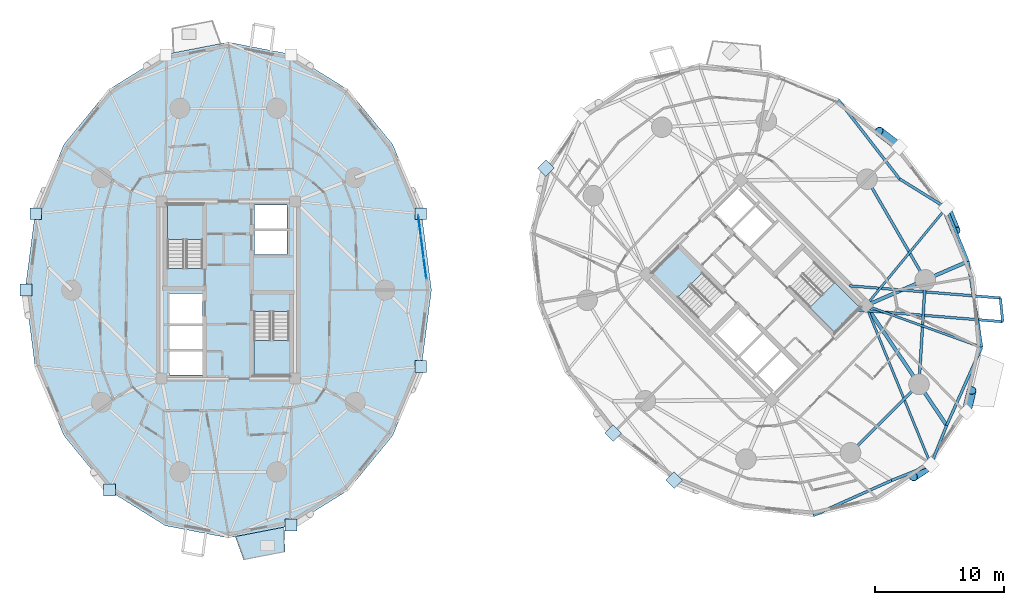
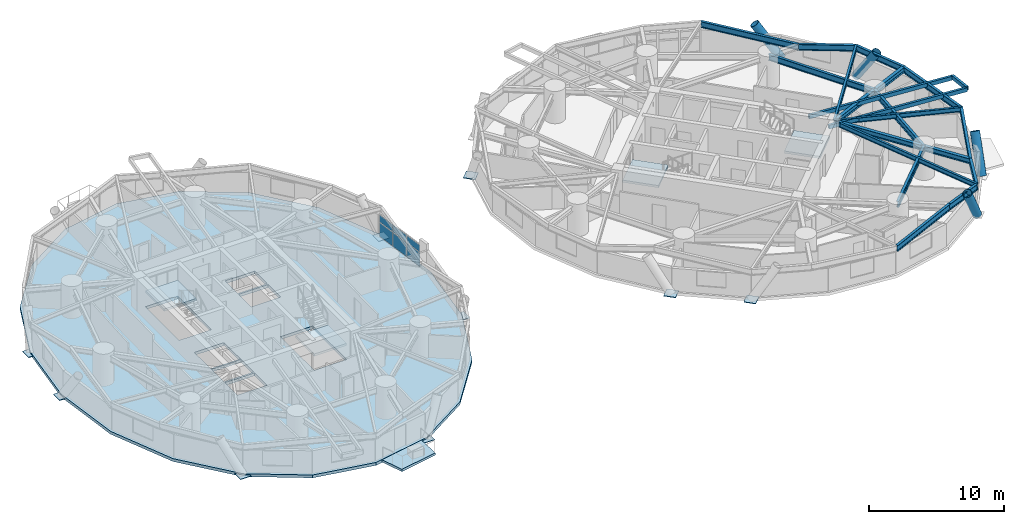
# One storey, part 8 of 20: 19 beams, 15 plates, 6 slabs, 4 members, 5 elements without a shape of their own.
"""IFC4 building model written with IfcOpenShell, lengths in metres."""

from ifc_helpers import new_model, si_unit, direction, frame, origin, origin_2d, place, context, subcontext, project, spatial, polyline, rectangle, hollow_rectangle, hollow_circle, i_section, outline, extrude, source, transform, mapped, material, layer, layer_set, material_profile, profile_set, type_object, element, aggregate, save


model = new_model("IFC4")

# Units and contexts
model_context = context("Model", 3, precision=1e-05, world=origin(), true_north=direction((0.0, 1.0)))
body_context = subcontext(model_context, "Body", "Model", "MODEL_VIEW")
ifc_project = project(units=[si_unit("LENGTHUNIT", "METRE"), si_unit("AREAUNIT", "SQUARE_METRE"), si_unit("VOLUMEUNIT", "CUBIC_METRE"), si_unit("PLANEANGLEUNIT", "RADIAN"), si_unit("MASSUNIT", "GRAM", prefix="KILO")], contexts=[model_context])

# Site, building, storey
site_placement = place(None, origin())
site = spatial("IfcSite", under=ifc_project, at=site_placement, CompositionType="ELEMENT")
building_placement = place(site_placement, origin())
building = spatial("IfcBuilding", under=site, at=building_placement, Name="Cununo Teusaquillo Station Towers", CompositionType="ELEMENT")
storey_placement = place(building_placement, frame((0.0, 0.0, 39.4599609375)))
storey = spatial("IfcBuildingStorey", under=building, at=storey_placement, Name="L11", CompositionType="ELEMENT", Elevation=39.4599609375)

# Beams
ifc_material_1 = material(Name="Steel EN 10025-2 S355J2", Category="steel")
ifc_material_profile_1 = material_profile(ifc_material_1, hollow_rectangle(XDim=0.199951171875, YDim=0.35009765625, WallThickness=0.013916015625, at=origin_2d()), Name="RHS 350x200x14")
ifc_profile_set_1 = profile_set([ifc_material_profile_1], Name="Steel EN 10025-2 S355J2")
beam_type_1 = type_object("IfcBeamType", Name="BM-BAL-CANT", PredefinedType="BEAM", material=ifc_profile_set_1)
beam_1_placement = place(storey_placement, frame((65.3564453125, 22.951904296875, 2.47509765625), z_axis=(0.996751716996, -0.080535797419, 0.0), x_axis=(0.080535797419, 0.996751716996, 0.0)))
element("IfcBeam", 1, at=beam_1_placement, inside=storey, type_object=beam_type_1, Name="L11 Tower B Balcony Cantilever Bracket 2A", PredefinedType="BEAM", context=body_context, shape_type="SweptSolid", body=[
    extrude(hollow_rectangle(XDim=0.199951171875, YDim=0.35009765625, WallThickness=0.013916015625, at=origin_2d()), origin(), (0.0, 0.0, 1.0), 11.32861328125),
])
beam_2_placement = place(storey_placement, frame((64.73779296875, 24.828369140625, 2.47509765625), z_axis=(0.996750695017, -0.080548444941, 0.0), x_axis=(0.080548444941, 0.996750695017, 0.0)))
element("IfcBeam", 2, at=beam_2_placement, inside=storey, type_object=beam_type_1, Name="L11 Tower B Balcony Cantilever Bracket 2B", PredefinedType="BEAM", context=body_context, shape_type="SweptSolid", body=[
    extrude(hollow_rectangle(XDim=0.199951171875, YDim=0.35009765625, WallThickness=0.013916015625, at=origin_2d()), origin(), (0.0, 0.0, 1.0), 11.766357421875),
])
ifc_material_2 = material(Name="Steel ASTM A572 Grade 50", Category="steel")
ifc_material_profile_2 = material_profile(ifc_material_2, i_section(OverallWidth=0.180908203125, OverallDepth=0.4169921875, WebThickness=0.010986328125, FlangeThickness=0.018310546875, FilletRadius=0.012939453125, at=origin_2d()), Name="W16X57")
ifc_profile_set_2 = profile_set([ifc_material_profile_2], Name="Steel ASTM A572 Grade 50")
beam_type_2 = type_object("IfcBeamType", Name="BM-JOIST-1", PredefinedType="JOIST", material=ifc_profile_set_2)
beam_3_placement = place(storey_placement, frame((66.024169921875, 23.29443359375, 2.441650390625), z_axis=(0.377815437796, -0.92588092915, 0.0), x_axis=(0.92588092915, 0.377815437796, 0.0)))
element("IfcBeam", 3, at=beam_3_placement, inside=storey, type_object=beam_type_2, Name="L11 Tower B Radial Spandrel Joist V15", PredefinedType="JOIST", context=body_context, shape_type="SweptSolid", body=[
    extrude(i_section(OverallWidth=0.180908203125, OverallDepth=0.4169921875, WebThickness=0.010986328125, FlangeThickness=0.018310546875, FilletRadius=0.012939453125, at=origin_2d()), origin(), (0.0, 0.0, 1.0), 13.353515625),
])
beam_4_placement = place(storey_placement, frame((66.024169921875, 23.29443359375, 2.441650390625), z_axis=(0.940761914171, -0.33906787056, 0.0), x_axis=(0.33906787056, 0.940761914171, 0.0)))
element("IfcBeam", 4, at=beam_4_placement, inside=storey, type_object=beam_type_2, Name="L11 Tower B Radial Spandrel Joist V17", PredefinedType="JOIST", context=body_context, shape_type="SweptSolid", body=[
    extrude(i_section(OverallWidth=0.180908203125, OverallDepth=0.4169921875, WebThickness=0.010986328125, FlangeThickness=0.018310546875, FilletRadius=0.012939453125, at=origin_2d()), origin(), (0.0, 0.0, 1.0), 9.552734375),
])
beam_5_placement = place(storey_placement, frame((66.024169921875, 23.29443359375, 2.441650390625), z_axis=(0.635389148475, 0.772192093976, 0.0), x_axis=(-0.772192093976, 0.635389148475, 0.0)))
element("IfcBeam", 5, at=beam_5_placement, inside=storey, type_object=beam_type_2, Name="L11 Tower B Radial Spandrel Joist V19", PredefinedType="JOIST", context=body_context, shape_type="SweptSolid", body=[
    extrude(i_section(OverallWidth=0.180908203125, OverallDepth=0.4169921875, WebThickness=0.010986328125, FlangeThickness=0.018310546875, FilletRadius=0.012939453125, at=origin_2d()), origin(), (0.0, 0.0, 1.0), 9.82080078125),
])
ifc_material_3 = material(Name="Steel ASTM A572 Grade 50", Category="steel")
ifc_material_profile_3 = material_profile(ifc_material_3, i_section(OverallWidth=0.280029296875, OverallDepth=0.462890625, WebThickness=0.0107421875, FlangeThickness=0.017333984375, FilletRadius=0.013916015625, at=origin_2d()), Name="W18X76")
ifc_profile_set_3 = profile_set([ifc_material_profile_3], Name="Steel ASTM A572 Grade 50")
beam_type_3 = type_object("IfcBeamType", Name="BM-RAD-G1", PredefinedType="BEAM", material=ifc_profile_set_3)
beam_6_placement = place(storey_placement, frame((66.024169921875, 23.29443359375, 2.41845703125), z_axis=(0.558565249978, -0.829460584667, 0.0), x_axis=(0.829460584667, 0.558565249978, 0.0)))
element("IfcBeam", 6, at=beam_6_placement, inside=storey, type_object=beam_type_3, Name="L11 Tower B Continuous Overhanging Radial Girder 09", PredefinedType="BEAM", context=body_context, shape_type="SweptSolid", body=[
    extrude(i_section(OverallWidth=0.280029296875, OverallDepth=0.462890625, WebThickness=0.0107421875, FlangeThickness=0.017333984375, FilletRadius=0.013916015625, at=origin_2d()), origin(), (0.0, 0.0, 1.0), 11.22119140625),
])
beam_7_placement = place(storey_placement, frame((66.024169921875, 23.29443359375, 2.41845703125), z_axis=(0.91765947108, 0.397367707718, 0.0), x_axis=(-0.397367707718, 0.91765947108, 0.0)))
element("IfcBeam", 7, at=beam_7_placement, inside=storey, type_object=beam_type_3, Name="L11 Tower B Continuous Overhanging Radial Girder 10", PredefinedType="BEAM", context=body_context, shape_type="SweptSolid", body=[
    extrude(i_section(OverallWidth=0.280029296875, OverallDepth=0.462890625, WebThickness=0.0107421875, FlangeThickness=0.017333984375, FilletRadius=0.013916015625, at=origin_2d()), origin(), (0.0, 0.0, 1.0), 8.631591796875),
])
ifc_material_4 = material(Name="Steel ASTM A572 Grade 50", Category="steel")
ifc_material_profile_4 = material_profile(ifc_material_4, i_section(OverallWidth=0.214111328125, OverallDepth=0.549072265625, WebThickness=0.0146484375, FlangeThickness=0.023681640625, FilletRadius=0.014892578125, at=origin_2d()), Name="W21X93")
ifc_profile_set_4 = profile_set([ifc_material_profile_4], Name="Steel ASTM A572 Grade 50")
beam_type_4 = type_object("IfcBeamType", Name="BM-RING-Z1", PredefinedType="SPANDREL", material=ifc_profile_set_4)
beam_8_placement = place(storey_placement, frame((64.826904296875, 11.853759765625, 2.37548828125), z_axis=(0.707106781187, 0.707106781187, 0.0), x_axis=(-0.707106781187, 0.707106781187, 0.0)))
element("IfcBeam", 8, at=beam_8_placement, inside=storey, type_object=beam_type_4, Name="L11 Tower B Structural Column Ring Girder 08", PredefinedType="SPANDREL", context=body_context, shape_type="SweptSolid", body=[
    extrude(i_section(OverallWidth=0.214111328125, OverallDepth=0.549072265625, WebThickness=0.0146484375, FlangeThickness=0.023681640625, FilletRadius=0.014892578125, at=origin_2d()), origin(), (0.0, 0.0, 1.0), 7.522705078125),
])
beam_9_placement = place(storey_placement, frame((70.146240234375, 17.173095703125, 2.37548828125), z_axis=(0.06012979176, 0.998190567048, 0.0), x_axis=(-0.998190567048, 0.06012979176, 0.0)))
element("IfcBeam", 9, at=beam_9_placement, inside=storey, type_object=beam_type_4, Name="L11 Tower B Structural Column Ring Girder 09", PredefinedType="SPANDREL", context=body_context, shape_type="SweptSolid", body=[
    extrude(i_section(OverallWidth=0.214111328125, OverallDepth=0.549072265625, WebThickness=0.0146484375, FlangeThickness=0.023681640625, FilletRadius=0.014892578125, at=origin_2d()), origin(), (0.0, 0.0, 1.0), 8.132568359375),
])
beam_10_placement = place(storey_placement, frame((70.63525390625, 25.291015625, 2.37548828125), z_axis=(-0.501311121078, 0.865267103202, 0.0), x_axis=(-0.865267103202, -0.501311121078, 0.0)))
element("IfcBeam", 10, at=beam_10_placement, inside=storey, type_object=beam_type_4, Name="L11 Tower B Structural Column Ring Girder 10", PredefinedType="SPANDREL", context=body_context, shape_type="SweptSolid", body=[
    extrude(i_section(OverallWidth=0.214111328125, OverallDepth=0.549072265625, WebThickness=0.0146484375, FlangeThickness=0.023681640625, FilletRadius=0.014892578125, at=origin_2d()), origin(), (0.0, 0.0, 1.0), 9.032958984375),
])
beam_11_placement = place(storey_placement, frame((68.635986328125, 33.12841796875, 2.37548828125), z_axis=(-0.612801480015, 0.790236892388, 0.0), x_axis=(-0.790236892388, -0.612801480015, 0.0)))
element("IfcBeam", 11, at=beam_11_placement, inside=storey, type_object=beam_type_4, Name="L11 Tower B Spandrel Ring Beam 01", PredefinedType="SPANDREL", context=body_context, shape_type="SweptSolid", body=[
    extrude(i_section(OverallWidth=0.214111328125, OverallDepth=0.549072265625, WebThickness=0.0146484375, FlangeThickness=0.023681640625, FilletRadius=0.014892578125, at=origin_2d()), origin(), (0.0, 0.0, 1.0), 7.764404296875),
])
beam_12_placement = place(storey_placement, frame((61.944580078125, 6.989013671875, 2.37548828125), z_axis=(0.912588695836, 0.408878798951, 0.0), x_axis=(-0.408878798951, 0.912588695836, 0.0)))
element("IfcBeam", 12, at=beam_12_placement, inside=storey, type_object=beam_type_4, Name="L11 Tower B Spandrel Ring Beam 14", PredefinedType="SPANDREL", context=body_context, shape_type="SweptSolid", body=[
    extrude(i_section(OverallWidth=0.214111328125, OverallDepth=0.549072265625, WebThickness=0.0146484375, FlangeThickness=0.023681640625, FilletRadius=0.014892578125, at=origin_2d()), origin(), (0.0, 0.0, 1.0), 6.64990234375),
])
for number, where, z_axis, x_axis, name in (
    (13, (68.01318359375, 9.7080078125, 2.37548828125), (0.928456228871, 0.371441827304, 0.0), (-0.371441827304, 0.928456228871, 0.0), "L11 Tower B Spandrel Ring Beam 15"),
    (14, (71.0693359375, 10.9306640625, 2.37548828125), (0.371441827304, 0.928456228871, 0.0), (-0.928456228871, 0.371441827304, 0.0), "L11 Tower B Spandrel Ring Beam 16"),
):
    element("IfcBeam", number, at=place(storey_placement, frame(where, z_axis=z_axis, x_axis=x_axis)), inside=storey, type_object=beam_type_4, Name=name, PredefinedType="SPANDREL", context=body_context, shape_type="SweptSolid", body=[
        extrude(i_section(OverallWidth=0.214111328125, OverallDepth=0.549072265625, WebThickness=0.0146484375, FlangeThickness=0.023681640625, FilletRadius=0.014892578125, at=origin_2d()), origin(), (0.0, 0.0, 1.0), 3.291748046875),
    ])
beam_13_placement = place(storey_placement, frame((72.2919921875, 13.98681640625, 2.37548828125), z_axis=(0.408878798951, 0.912588695836, 0.0), x_axis=(-0.912588695836, 0.408878798951, 0.0)))
element("IfcBeam", 15, at=beam_13_placement, inside=storey, type_object=beam_type_4, Name="L11 Tower B Spandrel Ring Beam 17", PredefinedType="SPANDREL", context=body_context, shape_type="SweptSolid", body=[
    extrude(i_section(OverallWidth=0.214111328125, OverallDepth=0.549072265625, WebThickness=0.0146484375, FlangeThickness=0.023681640625, FilletRadius=0.014892578125, at=origin_2d()), origin(), (0.0, 0.0, 1.0), 6.64990234375),
])
beam_14_placement = place(storey_placement, frame((75.010986328125, 20.055419921875, 2.37548828125), z_axis=(-0.157829770834, 0.987466335344, 0.0), x_axis=(-0.987466335344, -0.157829770834, 0.0)))
element("IfcBeam", 16, at=beam_14_placement, inside=storey, type_object=beam_type_4, Name="L11 Tower B Spandrel Ring Beam 18", PredefinedType="SPANDREL", context=body_context, shape_type="SweptSolid", body=[
    extrude(i_section(OverallWidth=0.214111328125, OverallDepth=0.549072265625, WebThickness=0.0146484375, FlangeThickness=0.023681640625, FilletRadius=0.014892578125, at=origin_2d()), origin(), (0.0, 0.0, 1.0), 6.753662109375),
])
beam_15_placement = place(storey_placement, frame((73.945068359375, 26.724365234375, 2.37548828125), z_axis=(-0.375135909025, 0.926969821386, 0.0), x_axis=(-0.926969821386, -0.375135909025, 0.0)))
element("IfcBeam", 17, at=beam_15_placement, inside=storey, type_object=beam_type_4, Name="L11 Tower B Spandrel Ring Beam 19", PredefinedType="SPANDREL", context=body_context, shape_type="SweptSolid", body=[
    extrude(i_section(OverallWidth=0.214111328125, OverallDepth=0.549072265625, WebThickness=0.0146484375, FlangeThickness=0.023681640625, FilletRadius=0.014892578125, at=origin_2d()), origin(), (0.0, 0.0, 1.0), 4.480712890625),
])
beam_16_placement = place(storey_placement, frame((72.26416015625, 30.8779296875, 2.37548828125), z_axis=(-0.849795627585, 0.527112313779, 0.0), x_axis=(-0.527112313779, -0.849795627585, 0.0)))
element("IfcBeam", 18, at=beam_16_placement, inside=storey, type_object=beam_type_4, Name="L11 Tower B Spandrel Ring Beam 20", PredefinedType="SPANDREL", context=body_context, shape_type="SweptSolid", body=[
    extrude(i_section(OverallWidth=0.214111328125, OverallDepth=0.549072265625, WebThickness=0.0146484375, FlangeThickness=0.023681640625, FilletRadius=0.014892578125, at=origin_2d()), origin(), (0.0, 0.0, 1.0), 4.26953125),
])
ifc_material_5 = material(Name="Steel EN 10025-2 S355J2", Category="steel")
ifc_material_profile_5 = material_profile(ifc_material_5, hollow_rectangle(XDim=0.199951171875, YDim=0.35009765625, WallThickness=0.013916015625, at=origin_2d()), Name="RHS 350x200x14")
ifc_profile_set_5 = profile_set([ifc_material_profile_5], Name="Steel EN 10025-2 S355J2")
beam_type_5 = type_object("IfcBeamType", Name="BM-STAIR-TRIM", PredefinedType="BEAM", material=ifc_profile_set_5)
beam_17_placement = place(storey_placement, frame((76.648193359375, 22.03955078125, 2.525146484375), z_axis=(-0.098576018311, 0.995129523537, 0.0), x_axis=(-0.995129523537, -0.098576018311, 0.0)))
element("IfcBeam", 19, at=beam_17_placement, inside=storey, type_object=beam_type_5, Name="L11 Tower B Balcony Edge Trimmer Beam 2", PredefinedType="BEAM", context=body_context, shape_type="SweptSolid", body=[
    extrude(hollow_rectangle(XDim=0.199951171875, YDim=0.35009765625, WallThickness=0.013916015625, at=origin_2d()), origin(), (0.0, 0.0, 1.0), 1.85009765625),
])

# Members
ifc_material_6 = material(Name="Steel EN 10025-2 S355J2", Category="steel")
ifc_material_profile_6 = material_profile(ifc_material_6, hollow_circle(Radius=0.360107421875, WallThickness=0.028076171875, at=origin_2d()), Name="CHS 720x28")
ifc_profile_set_6 = profile_set([ifc_material_profile_6], Name="Steel EN 10025-2 S355J2")
member_type = type_object("IfcMemberType", Name="MBR-DIAG-Z1", PredefinedType="BRACE", material=ifc_profile_set_6)
member_1_placement = place(storey_placement, frame((68.614990234375, 35.614990234375, -0.139892578125), z_axis=(-0.447703153683, 0.344844946143, 0.82501142374), x_axis=(-0.610219698676, -0.792232238266, 0.0)))
element("IfcMember", 20, at=member_1_placement, inside=storey, type_object=member_type, Name="L11 Tower B Folded-Zigzag Diagrid Tube C00", PredefinedType="BRACE", context=body_context, shape_type="SweptSolid", body=[
    extrude(hollow_circle(Radius=0.360107421875, WallThickness=0.028076171875, at=origin_2d()), origin(), (0.0, 0.0, 1.0), 3.527099609375),
])
member_2_placement = place(storey_placement, frame((71.0693359375, 10.9306640625, -0.139892578125), z_axis=(-0.408468387245, -0.276132221041, 0.870002628229), x_axis=(0.560052437376, -0.828457160866, 0.0)))
element("IfcMember", 21, at=member_2_placement, inside=storey, type_object=member_type, Name="L11 Tower B Folded-Zigzag Diagrid Tube C14", PredefinedType="BRACE", context=body_context, shape_type="SweptSolid", body=[
    extrude(hollow_circle(Radius=0.360107421875, WallThickness=0.028076171875, at=origin_2d()), origin(), (0.0, 0.0, 1.0), 3.3447265625),
])
member_3_placement = place(storey_placement, frame((73.840087890625, 15.029296875, -0.139892578125), z_axis=(0.115486215866, 0.495601259082, 0.860838153163), x_axis=(-0.97390816807, 0.226942460033, 0.0)))
element("IfcMember", 22, at=member_3_placement, inside=storey, type_object=member_type, Name="L11 Tower B Folded-Zigzag Diagrid Tube C16", PredefinedType="BRACE", context=body_context, shape_type="SweptSolid", body=[
    extrude(hollow_circle(Radius=0.360107421875, WallThickness=0.028076171875, at=origin_2d()), origin(), (0.0, 0.0, 1.0), 3.38037109375),
])
member_4_placement = place(storey_placement, frame((72.26416015625, 30.8779296875, -0.139892578125), z_axis=(0.210312111022, -0.51162667088, 0.833070804675), x_axis=(0.924905593279, 0.380196848385, 0.0)))
element("IfcMember", 23, at=member_4_placement, inside=storey, type_object=member_type, Name="L11 Tower B Folded-Zigzag Diagrid Tube C18", PredefinedType="BRACE", context=body_context, shape_type="SweptSolid", body=[
    extrude(hollow_circle(Radius=0.360107421875, WallThickness=0.028076171875, at=origin_2d()), origin(), (0.0, 0.0, 1.0), 3.492919921875),
])

# Slab
ifc_material_7 = material(Name="Concrete C50/60", Category="concrete")
ifc_layer_1 = layer(ifc_material_7, 0.2099609375)
ifc_layer_set_1 = layer_set([ifc_layer_1], Name="Concrete C50/60")
slab_type_1 = type_object("IfcSlabType", Name="SLB-BAL-210", PredefinedType="FLOOR", material=ifc_layer_set_1)
slab_1_placement = place(storey_placement, frame((0.0, 0.0, -0.2099609375)))
element("IfcSlab", 24, at=slab_1_placement, inside=storey, type_object=slab_type_1, Name="L11 Tower A Tree Balcony Slab 2", PredefinedType="FLOOR", context=body_context, shape_type="SweptSolid", body=[
    extrude(outline(polyline([(17.041015625, 5.349365234375), (20.8369140625, 6.0830078125), (20.90576171875, 4.145751953125), (17.69873046875, 3.526123046875), (17.041015625, 5.349365234375)])), origin(), (0.0, 0.0, 1.0), 0.2099609375),
])

# Stair, slab
ifc_material_8 = material(Name="Concrete C50/60", Category="concrete")
stair_type = type_object("IfcStairType", Name="ST-TWR-1300", PredefinedType="HALF_TURN_STAIR", material=ifc_material_8)
stair_1_placement = place(storey_placement, origin())
stair_1 = element("IfcStair", 25, at=stair_1_placement, inside=storey, type_object=stair_type, Name="L11 Tower A Protected Core Exit Stair 1", PredefinedType="HALF_TURN_STAIR")
ifc_material_9 = material(Name="Concrete C50/60", Category="concrete")
ifc_layer_2 = layer(ifc_material_9, 0.199951171875)
ifc_layer_set_2 = layer_set([ifc_layer_2], Name="Concrete C50/60")
slab_type_2 = type_object("IfcSlabType", Name="SLB-STAIR-LND", PredefinedType="LANDING", material=ifc_layer_set_2)
slab_2_placement = place(storey_placement, frame((0.0, 0.0, 1.255126953125)))
slab_2 = element("IfcSlab", 26, at=slab_2_placement, type_object=slab_type_2, Name="ST-T1-1 landing 1", PredefinedType="LANDING", context=body_context, shape_type="SweptSolid", body=[
    extrude(outline(polyline([(14.52001953125, 28.409912109375), (14.52001953125, 31.159912109375), (11.760009765625, 31.159912109375), (11.760009765625, 28.409912109375), (14.52001953125, 28.409912109375)])), origin(), (0.0, 0.0, 1.0), 0.199951171875),
])
aggregate(stair_1, [slab_2])

stair_2_placement = place(storey_placement, origin())
stair_2 = element("IfcStair", 27, at=stair_2_placement, inside=storey, type_object=stair_type, Name="L11 Tower A Protected Core Exit Stair 2", PredefinedType="HALF_TURN_STAIR")
slab_3_placement = place(storey_placement, frame((0.0, 0.0, 1.255126953125)))
slab_3 = element("IfcSlab", 28, at=slab_3_placement, type_object=slab_type_2, Name="ST-T1-2 landing 1", PredefinedType="LANDING", context=body_context, shape_type="SweptSolid", body=[
    extrude(outline(polyline([(18.47998046875, 20.590087890625), (18.47998046875, 17.840087890625), (21.239990234375, 17.840087890625), (21.239990234375, 20.590087890625), (18.47998046875, 20.590087890625)])), origin(), (0.0, 0.0, 1.0), 0.199951171875),
])
aggregate(stair_2, [slab_3])

stair_3_placement = place(storey_placement, origin())
stair_3 = element("IfcStair", 29, at=stair_3_placement, inside=storey, type_object=stair_type, Name="L11 Tower B Protected Core Exit Stair 1", PredefinedType="HALF_TURN_STAIR")
slab_4_placement = place(storey_placement, frame((0.0, 0.0, 1.255126953125)))
slab_4 = element("IfcSlab", 30, at=slab_4_placement, type_object=slab_type_2, Name="ST-T2-1 landing 1", PredefinedType="LANDING", context=body_context, shape_type="SweptSolid", body=[
    extrude(outline(polyline([(53.335205078125, 25.86474609375), (51.390625, 27.809326171875), (49.43896484375, 25.857666015625), (51.383544921875, 23.9130859375), (53.335205078125, 25.86474609375)])), origin(), (0.0, 0.0, 1.0), 0.199951171875),
])
aggregate(stair_3, [slab_4])

stair_4_placement = place(storey_placement, origin())
stair_4 = element("IfcStair", 31, at=stair_4_placement, inside=storey, type_object=stair_type, Name="L11 Tower B Protected Core Exit Stair 2", PredefinedType="HALF_TURN_STAIR")
slab_5_placement = place(storey_placement, frame((0.0, 0.0, 1.255126953125)))
slab_5 = element("IfcSlab", 32, at=slab_5_placement, type_object=slab_type_2, Name="ST-T2-2 landing 1", PredefinedType="LANDING", context=body_context, shape_type="SweptSolid", body=[
    extrude(outline(polyline([(61.664794921875, 23.13525390625), (63.609375, 21.190673828125), (65.56103515625, 23.142333984375), (63.616455078125, 25.0869140625), (61.664794921875, 23.13525390625)])), origin(), (0.0, 0.0, 1.0), 0.199951171875),
])
aggregate(stair_4, [slab_5])

# Slab
ifc_material_10 = material(Name="Concrete C50/60", Category="concrete")
ifc_layer_3 = layer(ifc_material_10, 0.260009765625)
ifc_layer_set_3 = layer_set([ifc_layer_3], Name="Concrete C50/60")
slab_type_3 = type_object("IfcSlabType", Name="SLB-Z1-260", PredefinedType="FLOOR", material=ifc_layer_set_3)
slab_6_placement = place(storey_placement, frame((0.0, 0.0, -0.260009765625)))
element("IfcSlab", 33, at=slab_6_placement, inside=storey, type_object=slab_type_3, Name="L11 Tower A Floor Slab", PredefinedType="FLOOR", context=body_context, shape_type="SweptSolid", body=[
    extrude(outline(polyline([(32.279052734375, 24.5), (31.506591796875, 30.448486328125), (29.265380859375, 35.81494140625), (25.774658203125, 40.073486328125), (21.3759765625, 42.807861328125), (16.5, 43.75), (11.6240234375, 42.807861328125), (7.225341796875, 40.073486328125), (3.734619140625, 35.81494140625), (1.493408203125, 30.448486328125), (0.720947265625, 24.5), (1.493408203125, 18.551513671875), (3.734619140625, 13.18505859375), (7.225341796875, 8.926513671875), (11.6240234375, 6.192138671875), (16.5, 5.25), (21.3759765625, 6.192138671875), (25.774658203125, 8.926513671875), (29.265380859375, 13.18505859375), (31.506591796875, 18.551513671875), (32.279052734375, 24.5)]), holes=[polyline([(14.52001953125, 26.176025390625), (14.52001953125, 31.159912109375), (11.760009765625, 31.159912109375), (11.760009765625, 26.176025390625), (14.52001953125, 26.176025390625)]), polyline([(18.47998046875, 22.823974609375), (18.47998046875, 17.840087890625), (21.239990234375, 17.840087890625), (21.239990234375, 22.823974609375), (18.47998046875, 22.823974609375)]), polyline([(11.949951171875, 21.85009765625), (14.47998046875, 21.85009765625), (14.47998046875, 24.25), (11.949951171875, 24.25), (11.949951171875, 21.85009765625)]), polyline([(11.949951171875, 17.89990234375), (14.47998046875, 17.89990234375), (14.47998046875, 19.75), (11.949951171875, 19.75), (11.949951171875, 17.89990234375)]), polyline([(11.949951171875, 19.89990234375), (14.47998046875, 19.89990234375), (14.47998046875, 21.75), (11.949951171875, 21.75), (11.949951171875, 19.89990234375)]), polyline([(18.52001953125, 27.25), (21.050048828125, 27.25), (21.050048828125, 29.10009765625), (18.52001953125, 29.10009765625), (18.52001953125, 27.25)]), polyline([(18.52001953125, 29.25), (21.050048828125, 29.25), (21.050048828125, 31.10009765625), (18.52001953125, 31.10009765625), (18.52001953125, 29.25)])]), origin(), (0.0, 0.0, 1.0), 0.260009765625),
])

# Plates
ifc_material_11 = material(Name="Steel ASTM A572 Grade 50", Category="steel")
ifc_layer_4 = layer(ifc_material_11, 0.050048828125)
ifc_layer_set_4 = layer_set([ifc_layer_4], Name="Steel ASTM A572 Grade 50")
plate_type_1 = type_object("IfcPlateType", Name="PLT-NODE-DN1", PredefinedType="USERDEFINED", material=ifc_layer_set_4)
shared_shape_1 = source(origin(), body_context, "Body", "SweptSolid", [
    extrude(rectangle(XDim=0.919921875, YDim=0.919921875, at=origin_2d()), origin(), (0.0, 0.0, 1.0), 0.050048828125),
])
for number, where, z_axis, x_axis, name in (
    (34, (31.44970703125, 30.429931640625, -0.1650390625), (0.0, 0.0, 1.0), (1.0, 0.0, 0.0), "L11 Tower A Diagrid Node Assembly C01"),
    (35, (1.55029296875, 30.429931640625, -0.1650390625), (0.0, 0.0, 1.0), (1.0, 0.0, 0.0), "L11 Tower A Diagrid Node Assembly C08"),
    (36, (0.781005859375, 24.5, -0.1650390625), (0.0, 0.0, 1.0), (1.0, 0.0, 0.0), "L11 Tower A Diagrid Node Assembly C10"),
    (37, (7.260498046875, 8.97509765625, -0.1650390625), (0.0, 0.0, 1.0), (1.0, 0.0, 0.0), "L11 Tower A Diagrid Node Assembly C12"),
    (38, (21.357421875, 6.249267578125, -0.1650390625), (0.0, 0.0, 1.0), (1.0, 0.0, 0.0), "L11 Tower A Diagrid Node Assembly C16"),
    (39, (31.44970703125, 18.570068359375, -0.1650390625), (0.0, 0.0, 1.0), (1.0, 0.0, 0.0), "L11 Tower A Diagrid Node Assembly C18"),
    (40, (41.159912109375, 33.970703125, -0.1650390625), (0.0, 0.0, 1.0), (0.707106781187, 0.707106781187, 0.0), "L11 Tower B Diagrid Node Assembly C06"),
    (41, (46.385009765625, 13.385009765625, -0.1650390625), (0.0, 0.0, 1.0), (0.707106781187, 0.707106781187, 0.0), "L11 Tower B Diagrid Node Assembly C09"),
    (42, (51.1220703125, 9.73583984375, -0.1650390625), (0.0, 0.0, 1.0), (0.707106781187, 0.707106781187, 0.0), "L11 Tower B Diagrid Node Assembly C11"),
):
    element("IfcPlate", number, at=place(storey_placement, frame(where, z_axis=z_axis, x_axis=x_axis)), inside=storey, type_object=plate_type_1, Name=name, ObjectType="GUSSET PLATE", PredefinedType="USERDEFINED", context=body_context, shape_type="MappedRepresentation", body=[
        mapped(shared_shape_1, transform((0.0, 0.0, 0.0), x_axis=(1.0, 0.0, 0.0), y_axis=(0.0, 1.0, 0.0), z_axis=(0.0, 0.0, 1.0), scale=1.0)),
    ])

# Curtain wall, plates
ifc_material_12 = material(Name="Ceramic-fritted dark low-E double glazing", Category="glass")
ifc_layer_5 = layer(ifc_material_12, 0.179931640625)
ifc_layer_set_5 = layer_set([ifc_layer_5], Name="Ceramic-fritted dark low-E double glazing")
curtain_wall_type = type_object("IfcCurtainWallType", Name="CW-SYS-02", PredefinedType="USERDEFINED", material=ifc_layer_set_5)
curtain_wall_placement = place(storey_placement, origin())
curtain_wall = element("IfcCurtainWall", 43, at=curtain_wall_placement, inside=storey, type_object=curtain_wall_type, Name="L11 Tower A Facade Curtain Wall C00", ObjectType="FRITTED GLAZING", PredefinedType="USERDEFINED")
ifc_material_13 = material(Name="Ceramic-fritted dark low-E double glazing", Category="glass")
ifc_layer_6 = layer(ifc_material_13, 0.028076171875)
ifc_layer_set_6 = layer_set([ifc_layer_6], Name="Ceramic-fritted dark low-E double glazing")
plate_type_2 = type_object("IfcPlateType", Name="CWP-FRIT-28", PredefinedType="CURTAIN_PANEL", material=ifc_layer_set_6)
shared_shape_2 = source(origin(), body_context, "Body", "SweptSolid", [
    extrude(rectangle(XDim=1.58203125, YDim=0.028076171875, at=origin_2d()), origin(), (0.0, 0.0, 1.0), 1.241943359375),
])
plate_1_placement = place(storey_placement, frame((31.350830078125, 29.50830078125, 0.06982421875), z_axis=(0.0, 0.0, 1.0), x_axis=(0.128335588771, -0.991730798481, 0.0)))
plate_1 = element("IfcPlate", 44, at=plate_1_placement, type_object=plate_type_2, Name="CW-02 panel 1.1", PredefinedType="CURTAIN_PANEL", context=body_context, shape_type="MappedRepresentation", body=[
    mapped(shared_shape_2, transform((0.0, 0.0, 0.0), x_axis=(1.0, 0.0, 0.0), y_axis=(0.0, 1.0, 0.0), z_axis=(0.0, 0.0, 1.0), scale=1.0)),
])
plate_2_placement = place(storey_placement, frame((31.779296875, 26.19677734375, 0.06982421875), z_axis=(0.0, 0.0, 1.0), x_axis=(0.128335588771, -0.991730798481, 0.0)))
plate_2 = element("IfcPlate", 45, at=plate_2_placement, type_object=plate_type_2, Name="CW-02 panel 3.1", PredefinedType="CURTAIN_PANEL", context=body_context, shape_type="MappedRepresentation", body=[
    mapped(shared_shape_2, transform((0.0, 0.0, 0.0), x_axis=(1.0, 0.0, 0.0), y_axis=(0.0, 1.0, 0.0), z_axis=(0.0, 0.0, 1.0), scale=1.0)),
])
shared_shape_3 = source(origin(), body_context, "Body", "SweptSolid", [
    extrude(rectangle(XDim=1.58203125, YDim=0.028076171875, at=origin_2d()), origin(), (0.0, 0.0, 1.0), 0.62109375),
])
plate_3_placement = place(storey_placement, frame((31.350830078125, 29.50830078125, 1.382080078125), z_axis=(0.0, 0.0, 1.0), x_axis=(0.128335588771, -0.991730798481, 0.0)))
plate_3 = element("IfcPlate", 46, at=plate_3_placement, type_object=plate_type_2, Name="CW-02 panel 1.2", PredefinedType="CURTAIN_PANEL", context=body_context, shape_type="MappedRepresentation", body=[
    mapped(shared_shape_3, transform((0.0, 0.0, 0.0), x_axis=(1.0, 0.0, 0.0), y_axis=(0.0, 1.0, 0.0), z_axis=(0.0, 0.0, 1.0), scale=1.0)),
])
plate_4_placement = place(storey_placement, frame((31.779296875, 26.19677734375, 1.382080078125), z_axis=(0.0, 0.0, 1.0), x_axis=(0.128335588771, -0.991730798481, 0.0)))
plate_4 = element("IfcPlate", 47, at=plate_4_placement, type_object=plate_type_2, Name="CW-02 panel 3.2", PredefinedType="CURTAIN_PANEL", context=body_context, shape_type="MappedRepresentation", body=[
    mapped(shared_shape_3, transform((0.0, 0.0, 0.0), x_axis=(1.0, 0.0, 0.0), y_axis=(0.0, 1.0, 0.0), z_axis=(0.0, 0.0, 1.0), scale=1.0)),
])
shared_shape_4 = source(origin(), body_context, "Body", "SweptSolid", [
    extrude(rectangle(XDim=1.616943359375, YDim=0.028076171875, at=origin_2d()), origin(), (0.0, 0.0, 1.0), 1.241943359375),
])
plate_5_placement = place(storey_placement, frame((31.565185546875, 27.8525390625, 0.06982421875), z_axis=(0.0, 0.0, 1.0), x_axis=(0.128335588771, -0.991730798481, 0.0)))
plate_5 = element("IfcPlate", 48, at=plate_5_placement, type_object=plate_type_2, Name="CW-02 panel 2.1", PredefinedType="CURTAIN_PANEL", context=body_context, shape_type="MappedRepresentation", body=[
    mapped(shared_shape_4, transform((0.0, 0.0, 0.0), x_axis=(1.0, 0.0, 0.0), y_axis=(0.0, 1.0, 0.0), z_axis=(0.0, 0.0, 1.0), scale=1.0)),
])
shared_shape_5 = source(origin(), body_context, "Body", "SweptSolid", [
    extrude(rectangle(XDim=1.616943359375, YDim=0.028076171875, at=origin_2d()), origin(), (0.0, 0.0, 1.0), 0.62109375),
])
plate_6_placement = place(storey_placement, frame((31.565185546875, 27.8525390625, 1.382080078125), z_axis=(0.0, 0.0, 1.0), x_axis=(0.128335588771, -0.991730798481, 0.0)))
plate_6 = element("IfcPlate", 49, at=plate_6_placement, type_object=plate_type_2, Name="CW-02 panel 2.2", PredefinedType="CURTAIN_PANEL", context=body_context, shape_type="MappedRepresentation", body=[
    mapped(shared_shape_5, transform((0.0, 0.0, 0.0), x_axis=(1.0, 0.0, 0.0), y_axis=(0.0, 1.0, 0.0), z_axis=(0.0, 0.0, 1.0), scale=1.0)),
])
aggregate(curtain_wall, [plate_1, plate_3, plate_5, plate_6, plate_2, plate_4])

save(model, "model.ifc")
